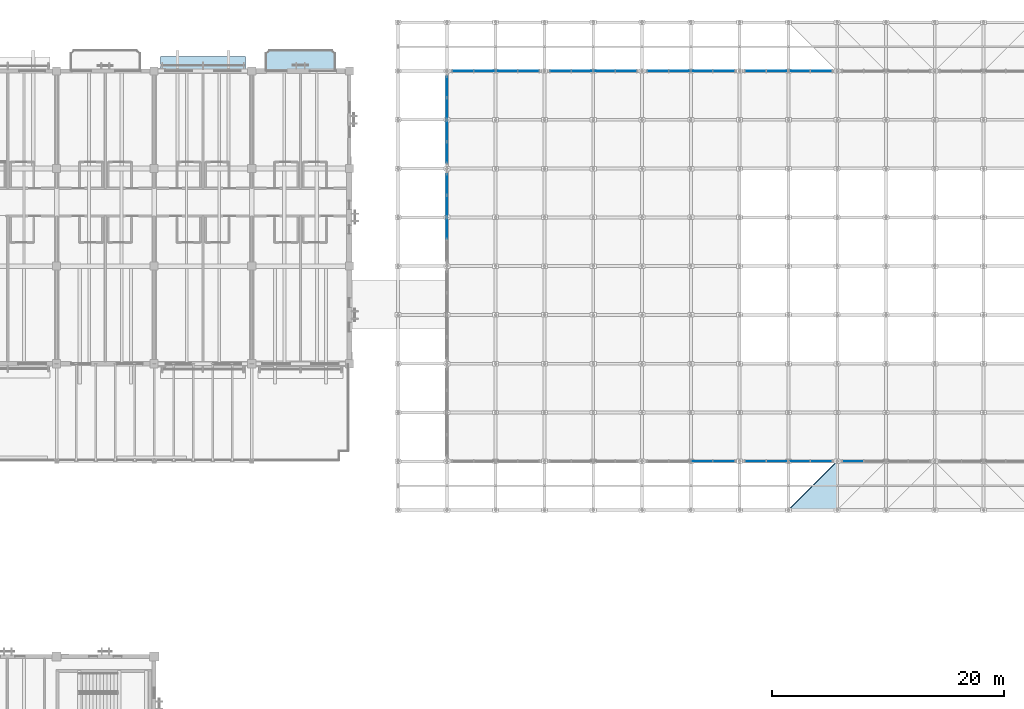
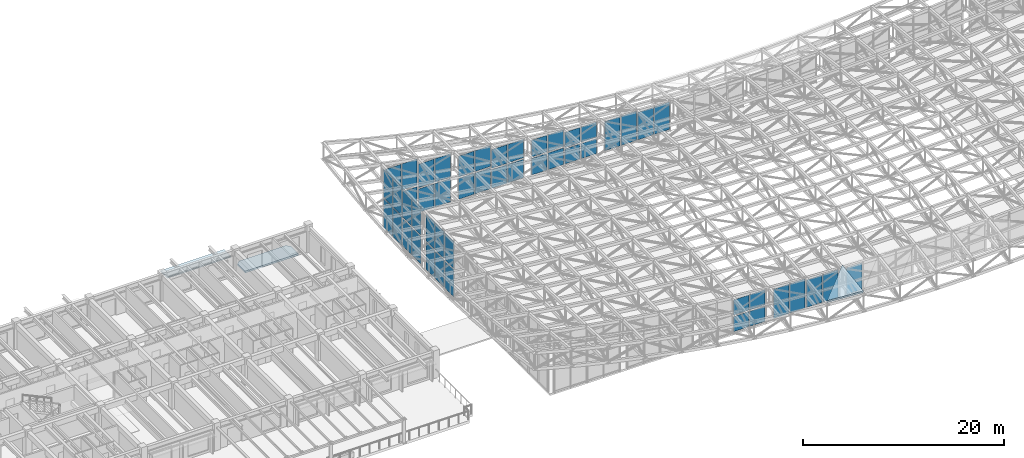
# One storey, part 65 of 111: 52 plates, 2 slabs, 17 elements without a shape of their own.
"""IFC4 building model written with IfcOpenShell, lengths in metres."""

from ifc_helpers import new_model, si_unit, direction, frame, origin, origin_2d, place, context, subcontext, project, spatial, polyline, rectangle, outline, extrude, material, layer, layer_set, type_object, element, aggregate, save


model = new_model("IFC4")

# Units and contexts
model_context = context("Model", 3, precision=1e-05, world=origin(), true_north=direction((0.0, 1.0)))
body_context = subcontext(model_context, "Body", "Model", "MODEL_VIEW")
ifc_project = project(units=[si_unit("LENGTHUNIT", "METRE"), si_unit("AREAUNIT", "SQUARE_METRE"), si_unit("VOLUMEUNIT", "CUBIC_METRE"), si_unit("PLANEANGLEUNIT", "RADIAN"), si_unit("MASSUNIT", "GRAM", prefix="KILO")], contexts=[model_context])

# Site, building, storey
site_placement = place(None, origin())
site = spatial("IfcSite", under=ifc_project, at=site_placement, CompositionType="ELEMENT")
building_placement = place(site_placement, origin())
building = spatial("IfcBuilding", under=site, at=building_placement, Name="Cumbredor Promenade Congress Hotel", CompositionType="ELEMENT")
storey_placement = place(building_placement, frame((0.0, 0.0, 15.1201171875)))
storey = spatial("IfcBuildingStorey", under=building, at=storey_placement, Name="L04", CompositionType="ELEMENT", Elevation=15.1201171875)

# Slabs
ifc_material_1 = material(Name="Concrete C40/50", Category="concrete")
ifc_layer_1 = layer(ifc_material_1, 0.215087890625, Name="Concrete C40/50", Category="concrete")
ifc_layer_set_1 = layer_set([ifc_layer_1], Name="Concrete C40/50")
slab_type_1 = type_object("IfcSlabType", Name="Cantilevered Guestroom Balcony Slab 215mm", PredefinedType="FLOOR", material=ifc_layer_set_1)
slab_1_placement = place(storey_placement, frame((0.0, 0.0, -0.215087890625)))
element("IfcSlab", 1, at=slab_1_placement, inside=storey, type_object=slab_type_1, Name="L04 Cantilevered Guestroom Veranda Balcony 024", PredefinedType="FLOOR", context=body_context, shape_type="SweptSolid", body=[
    extrude(outline(polyline([(76.75, 117.60009765625), (82.85009765625, 117.60009765625), (82.85009765625, 119.10009765625), (82.5, 119.449951171875), (77.10009765625, 119.449951171875), (76.75, 119.10009765625), (76.75, 117.60009765625)])), origin(), (0.0, 0.0, 1.0), 0.215087890625),
])
ifc_layer_2 = layer(ifc_material_1, 0.25, Name="Concrete C40/50", Category="concrete")
ifc_layer_set_2 = layer_set([ifc_layer_2], Name="Concrete C40/50")
slab_type_2 = type_object("IfcSlabType", Name="Catenary Space Frame Roof Deck 250mm", PredefinedType="ROOF", material=ifc_layer_set_2)
slab_2_placement = place(storey_placement, frame((121.800048828125, 79.800048828125, 3.555908203125), z_axis=(0.062113086697, -0.15060846322, 0.986640286663), x_axis=(0.998024259177, 0.0, -0.06282975485)))
element("IfcSlab", 2, at=slab_2_placement, inside=storey, type_object=slab_type_2, Name="Pre-Function and Breakout Meeting Forum Sweeping Roof Deck Facet 9.1.1", PredefinedType="ROOF", context=body_context, shape_type="SweptSolid", body=[
    extrude(outline(polyline([(0.0, 0.0), (4.208265614043409, 0.0), (4.167984623751245, 4.248410706058256), (0.0, 0.0)])), origin(), (0.0, 0.0, -1.0), 0.25),
])

# Curtain wall, plates
ifc_material_2 = material(Name="Thermally broken anodized aluminium and low-E glass", Category="aluminium")
curtain_wall_type_1 = type_object("IfcCurtainWallType", Name="Stepped Pavilion Clerestory Curtain Wall CW-06", PredefinedType="NOTDEFINED", material=ifc_material_2)
curtain_wall_1_placement = place(storey_placement, origin())
curtain_wall_1 = element("IfcCurtainWall", 3, at=curtain_wall_1_placement, inside=storey, type_object=curtain_wall_type_1, Name="Pre-Function and Breakout Meeting Forum S Glazed Clerestory 6", PredefinedType="NOTDEFINED")
ifc_material_3 = material(Name="Laminated low-E solar-control glass", Category="glass")
ifc_layer_3 = layer(ifc_material_3, 0.031982421875, Name="Laminated low-E solar-control glass", Category="glass")
ifc_layer_set_3 = layer_set([ifc_layer_3], Name="Laminated low-E solar-control glass")
plate_type_1 = type_object("IfcPlateType", Name="Clerestory Glazed Vision Panel PNL-07", PredefinedType="CURTAIN_PANEL", material=ifc_layer_set_3)
plate_1_placement = place(storey_placement, frame((114.3701171875, 84.0, 0.169921875), z_axis=(0.0, 0.0, 1.0), x_axis=(1.0, 0.0, 0.0)))
plate_1 = element("IfcPlate", 4, at=plate_1_placement, type_object=plate_type_1, Name="Pre-Function and Breakout Meeting Forum S Glazed Clerestory 6 Glazing Panel 1.1", PredefinedType="CURTAIN_PANEL", context=body_context, shape_type="SweptSolid", body=[
    extrude(rectangle(XDim=1.77490234375, YDim=0.031982421875, at=origin_2d()), origin(), (0.0, 0.0, 1.0), 1.830078125),
])
plate_2_placement = place(storey_placement, frame((114.3701171875, 84.0, 2.1796875), z_axis=(0.0, 0.0, 1.0), x_axis=(1.0, 0.0, 0.0)))
plate_2 = element("IfcPlate", 5, at=plate_2_placement, type_object=plate_type_1, Name="Pre-Function and Breakout Meeting Forum S Glazed Clerestory 6 Glazing Panel 1.2", PredefinedType="CURTAIN_PANEL", context=body_context, shape_type="SweptSolid", body=[
    extrude(rectangle(XDim=1.77490234375, YDim=0.031982421875, at=origin_2d()), origin(), (0.0, 0.0, 1.0), 1.840087890625),
])
plate_3_placement = place(storey_placement, frame((116.22998046875, 84.0, 0.169921875), z_axis=(0.0, 0.0, 1.0), x_axis=(1.0, 0.0, 0.0)))
plate_3 = element("IfcPlate", 6, at=plate_3_placement, type_object=plate_type_1, Name="Pre-Function and Breakout Meeting Forum S Glazed Clerestory 6 Glazing Panel 2.1", PredefinedType="CURTAIN_PANEL", context=body_context, shape_type="SweptSolid", body=[
    extrude(rectangle(XDim=1.77490234375, YDim=0.031982421875, at=origin_2d()), origin(), (0.0, 0.0, 1.0), 1.830078125),
])
plate_4_placement = place(storey_placement, frame((116.22998046875, 84.0, 2.1796875), z_axis=(0.0, 0.0, 1.0), x_axis=(1.0, 0.0, 0.0)))
plate_4 = element("IfcPlate", 7, at=plate_4_placement, type_object=plate_type_1, Name="Pre-Function and Breakout Meeting Forum S Glazed Clerestory 6 Glazing Panel 2.2", PredefinedType="CURTAIN_PANEL", context=body_context, shape_type="SweptSolid", body=[
    extrude(rectangle(XDim=1.77490234375, YDim=0.031982421875, at=origin_2d()), origin(), (0.0, 0.0, 1.0), 1.840087890625),
])
aggregate(curtain_wall_1, [plate_1, plate_2, plate_3, plate_4])

curtain_wall_2_placement = place(storey_placement, origin())
curtain_wall_2 = element("IfcCurtainWall", 8, at=curtain_wall_2_placement, inside=storey, type_object=curtain_wall_type_1, Name="Pre-Function and Breakout Meeting Forum S Glazed Clerestory 7", PredefinedType="NOTDEFINED")
plate_5_placement = place(storey_placement, frame((118.969970703125, 84.0, 0.169921875), z_axis=(0.0, 0.0, 1.0), x_axis=(1.0, 0.0, 0.0)))
plate_5 = element("IfcPlate", 9, at=plate_5_placement, type_object=plate_type_1, Name="Pre-Function and Breakout Meeting Forum S Glazed Clerestory 7 Glazing Panel 1.1", PredefinedType="CURTAIN_PANEL", context=body_context, shape_type="SweptSolid", body=[
    extrude(rectangle(XDim=1.77490234375, YDim=0.031982421875, at=origin_2d()), origin(), (0.0, 0.0, 1.0), 3.550048828125),
])
plate_6_placement = place(storey_placement, frame((120.830078125, 84.0, 0.169921875), z_axis=(0.0, 0.0, 1.0), x_axis=(1.0, 0.0, 0.0)))
plate_6 = element("IfcPlate", 10, at=plate_6_placement, type_object=plate_type_1, Name="Pre-Function and Breakout Meeting Forum S Glazed Clerestory 7 Glazing Panel 2.1", PredefinedType="CURTAIN_PANEL", context=body_context, shape_type="SweptSolid", body=[
    extrude(rectangle(XDim=1.77490234375, YDim=0.031982421875, at=origin_2d()), origin(), (0.0, 0.0, 1.0), 3.550048828125),
])
aggregate(curtain_wall_2, [plate_5, plate_6])

curtain_wall_3_placement = place(storey_placement, origin())
curtain_wall_3 = element("IfcCurtainWall", 11, at=curtain_wall_3_placement, inside=storey, type_object=curtain_wall_type_1, Name="Pre-Function and Breakout Meeting Forum S Glazed Clerestory 8", PredefinedType="NOTDEFINED")
plate_7_placement = place(storey_placement, frame((122.77001953125, 84.0, 0.169921875), z_axis=(0.0, 0.0, 1.0), x_axis=(1.0, 0.0, 0.0)))
plate_7 = element("IfcPlate", 12, at=plate_7_placement, type_object=plate_type_1, Name="Pre-Function and Breakout Meeting Forum S Glazed Clerestory 8 Glazing Panel 1.1", PredefinedType="CURTAIN_PANEL", context=body_context, shape_type="SweptSolid", body=[
    extrude(rectangle(XDim=1.77490234375, YDim=0.031982421875, at=origin_2d()), origin(), (0.0, 0.0, 1.0), 3.340087890625),
])
plate_8_placement = place(storey_placement, frame((124.6298828125, 84.0, 0.169921875), z_axis=(0.0, 0.0, 1.0), x_axis=(1.0, 0.0, 0.0)))
plate_8 = element("IfcPlate", 13, at=plate_8_placement, type_object=plate_type_1, Name="Pre-Function and Breakout Meeting Forum S Glazed Clerestory 8 Glazing Panel 2.1", PredefinedType="CURTAIN_PANEL", context=body_context, shape_type="SweptSolid", body=[
    extrude(rectangle(XDim=1.77490234375, YDim=0.031982421875, at=origin_2d()), origin(), (0.0, 0.0, 1.0), 3.340087890625),
])
aggregate(curtain_wall_3, [plate_7, plate_8])

# Curtain wall, plate
curtain_wall_4_placement = place(storey_placement, origin())
curtain_wall_4 = element("IfcCurtainWall", 14, at=curtain_wall_4_placement, inside=storey, type_object=curtain_wall_type_1, Name="Pre-Function and Breakout Meeting Forum S Glazed Clerestory 9", PredefinedType="NOTDEFINED")
plate_9_placement = place(storey_placement, frame((127.3701171875, 84.0, 0.169921875), z_axis=(0.0, 0.0, 1.0), x_axis=(1.0, 0.0, 0.0)))
plate_9 = element("IfcPlate", 15, at=plate_9_placement, type_object=plate_type_1, Name="Pre-Function and Breakout Meeting Forum S Glazed Clerestory 9 Glazing Panel 1.1", PredefinedType="CURTAIN_PANEL", context=body_context, shape_type="SweptSolid", body=[
    extrude(rectangle(XDim=1.77490234375, YDim=0.031982421875, at=origin_2d()), origin(), (0.0, 0.0, 1.0), 3.2099609375),
])
aggregate(curtain_wall_4, [plate_9])

# Curtain wall, plates
curtain_wall_5_placement = place(storey_placement, origin())
curtain_wall_5 = element("IfcCurtainWall", 16, at=curtain_wall_5_placement, inside=storey, type_object=curtain_wall_type_1, Name="Pre-Function and Breakout Meeting Forum N Glazed Clerestory 1", PredefinedType="NOTDEFINED")
plate_10_placement = place(storey_placement, frame((93.77001953125, 117.60009765625, 0.169921875), z_axis=(0.0, 0.0, 1.0), x_axis=(1.0, 0.0, 0.0)))
plate_10 = element("IfcPlate", 17, at=plate_10_placement, type_object=plate_type_1, Name="Pre-Function and Breakout Meeting Forum N Glazed Clerestory 1 Glazing Panel 1.1", PredefinedType="CURTAIN_PANEL", context=body_context, shape_type="SweptSolid", body=[
    extrude(rectangle(XDim=1.77490234375, YDim=0.031982421875, at=origin_2d()), origin(), (0.0, 0.0, 1.0), 3.199951171875),
])
plate_11_placement = place(storey_placement, frame((93.77001953125, 117.60009765625, 3.5498046875), z_axis=(0.0, 0.0, 1.0), x_axis=(1.0, 0.0, 0.0)))
plate_11 = element("IfcPlate", 18, at=plate_11_placement, type_object=plate_type_1, Name="Pre-Function and Breakout Meeting Forum N Glazed Clerestory 1 Glazing Panel 1.2", PredefinedType="CURTAIN_PANEL", context=body_context, shape_type="SweptSolid", body=[
    extrude(rectangle(XDim=1.77490234375, YDim=0.031982421875, at=origin_2d()), origin(), (0.0, 0.0, 1.0), 3.199951171875),
])
plate_12_placement = place(storey_placement, frame((95.6298828125, 117.60009765625, 0.169921875), z_axis=(0.0, 0.0, 1.0), x_axis=(1.0, 0.0, 0.0)))
plate_12 = element("IfcPlate", 19, at=plate_12_placement, type_object=plate_type_1, Name="Pre-Function and Breakout Meeting Forum N Glazed Clerestory 1 Glazing Panel 2.1", PredefinedType="CURTAIN_PANEL", context=body_context, shape_type="SweptSolid", body=[
    extrude(rectangle(XDim=1.77490234375, YDim=0.031982421875, at=origin_2d()), origin(), (0.0, 0.0, 1.0), 3.199951171875),
])
plate_13_placement = place(storey_placement, frame((95.6298828125, 117.60009765625, 3.5498046875), z_axis=(0.0, 0.0, 1.0), x_axis=(1.0, 0.0, 0.0)))
plate_13 = element("IfcPlate", 20, at=plate_13_placement, type_object=plate_type_1, Name="Pre-Function and Breakout Meeting Forum N Glazed Clerestory 1 Glazing Panel 2.2", PredefinedType="CURTAIN_PANEL", context=body_context, shape_type="SweptSolid", body=[
    extrude(rectangle(XDim=1.77490234375, YDim=0.031982421875, at=origin_2d()), origin(), (0.0, 0.0, 1.0), 3.199951171875),
])
aggregate(curtain_wall_5, [plate_10, plate_11, plate_12, plate_13])

curtain_wall_6_placement = place(storey_placement, origin())
curtain_wall_6 = element("IfcCurtainWall", 21, at=curtain_wall_6_placement, inside=storey, type_object=curtain_wall_type_1, Name="Pre-Function and Breakout Meeting Forum N Glazed Clerestory 2", PredefinedType="NOTDEFINED")
plate_14_placement = place(storey_placement, frame((97.570068359375, 117.60009765625, 0.169921875), z_axis=(0.0, 0.0, 1.0), x_axis=(1.0, 0.0, 0.0)))
plate_14 = element("IfcPlate", 22, at=plate_14_placement, type_object=plate_type_1, Name="Pre-Function and Breakout Meeting Forum N Glazed Clerestory 2 Glazing Panel 1.1", PredefinedType="CURTAIN_PANEL", context=body_context, shape_type="SweptSolid", body=[
    extrude(rectangle(XDim=1.77490234375, YDim=0.031982421875, at=origin_2d()), origin(), (0.0, 0.0, 1.0), 2.85009765625),
])
plate_15_placement = place(storey_placement, frame((97.570068359375, 117.60009765625, 3.19970703125), z_axis=(0.0, 0.0, 1.0), x_axis=(1.0, 0.0, 0.0)))
plate_15 = element("IfcPlate", 23, at=plate_15_placement, type_object=plate_type_1, Name="Pre-Function and Breakout Meeting Forum N Glazed Clerestory 2 Glazing Panel 1.2", PredefinedType="CURTAIN_PANEL", context=body_context, shape_type="SweptSolid", body=[
    extrude(rectangle(XDim=1.77490234375, YDim=0.031982421875, at=origin_2d()), origin(), (0.0, 0.0, 1.0), 2.840087890625),
])
plate_16_placement = place(storey_placement, frame((99.429931640625, 117.60009765625, 0.169921875), z_axis=(0.0, 0.0, 1.0), x_axis=(1.0, 0.0, 0.0)))
plate_16 = element("IfcPlate", 24, at=plate_16_placement, type_object=plate_type_1, Name="Pre-Function and Breakout Meeting Forum N Glazed Clerestory 2 Glazing Panel 2.1", PredefinedType="CURTAIN_PANEL", context=body_context, shape_type="SweptSolid", body=[
    extrude(rectangle(XDim=1.77490234375, YDim=0.031982421875, at=origin_2d()), origin(), (0.0, 0.0, 1.0), 2.85009765625),
])
plate_17_placement = place(storey_placement, frame((99.429931640625, 117.60009765625, 3.19970703125), z_axis=(0.0, 0.0, 1.0), x_axis=(1.0, 0.0, 0.0)))
plate_17 = element("IfcPlate", 25, at=plate_17_placement, type_object=plate_type_1, Name="Pre-Function and Breakout Meeting Forum N Glazed Clerestory 2 Glazing Panel 2.2", PredefinedType="CURTAIN_PANEL", context=body_context, shape_type="SweptSolid", body=[
    extrude(rectangle(XDim=1.77490234375, YDim=0.031982421875, at=origin_2d()), origin(), (0.0, 0.0, 1.0), 2.840087890625),
])
aggregate(curtain_wall_6, [plate_14, plate_15, plate_16, plate_17])

curtain_wall_7_placement = place(storey_placement, origin())
curtain_wall_7 = element("IfcCurtainWall", 26, at=curtain_wall_7_placement, inside=storey, type_object=curtain_wall_type_1, Name="Pre-Function and Breakout Meeting Forum N Glazed Clerestory 3", PredefinedType="NOTDEFINED")
plate_18_placement = place(storey_placement, frame((102.169921875, 117.60009765625, 0.169921875), z_axis=(0.0, 0.0, 1.0), x_axis=(1.0, 0.0, 0.0)))
plate_18 = element("IfcPlate", 27, at=plate_18_placement, type_object=plate_type_1, Name="Pre-Function and Breakout Meeting Forum N Glazed Clerestory 3 Glazing Panel 1.1", PredefinedType="CURTAIN_PANEL", context=body_context, shape_type="SweptSolid", body=[
    extrude(rectangle(XDim=1.77490234375, YDim=0.031982421875, at=origin_2d()), origin(), (0.0, 0.0, 1.0), 2.530029296875),
])
plate_19_placement = place(storey_placement, frame((102.169921875, 117.60009765625, 2.8798828125), z_axis=(0.0, 0.0, 1.0), x_axis=(1.0, 0.0, 0.0)))
plate_19 = element("IfcPlate", 28, at=plate_19_placement, type_object=plate_type_1, Name="Pre-Function and Breakout Meeting Forum N Glazed Clerestory 3 Glazing Panel 1.2", PredefinedType="CURTAIN_PANEL", context=body_context, shape_type="SweptSolid", body=[
    extrude(rectangle(XDim=1.77490234375, YDim=0.031982421875, at=origin_2d()), origin(), (0.0, 0.0, 1.0), 2.530029296875),
])
plate_20_placement = place(storey_placement, frame((104.030029296875, 117.60009765625, 0.169921875), z_axis=(0.0, 0.0, 1.0), x_axis=(1.0, 0.0, 0.0)))
plate_20 = element("IfcPlate", 29, at=plate_20_placement, type_object=plate_type_1, Name="Pre-Function and Breakout Meeting Forum N Glazed Clerestory 3 Glazing Panel 2.1", PredefinedType="CURTAIN_PANEL", context=body_context, shape_type="SweptSolid", body=[
    extrude(rectangle(XDim=1.77490234375, YDim=0.031982421875, at=origin_2d()), origin(), (0.0, 0.0, 1.0), 2.530029296875),
])
plate_21_placement = place(storey_placement, frame((104.030029296875, 117.60009765625, 2.8798828125), z_axis=(0.0, 0.0, 1.0), x_axis=(1.0, 0.0, 0.0)))
plate_21 = element("IfcPlate", 30, at=plate_21_placement, type_object=plate_type_1, Name="Pre-Function and Breakout Meeting Forum N Glazed Clerestory 3 Glazing Panel 2.2", PredefinedType="CURTAIN_PANEL", context=body_context, shape_type="SweptSolid", body=[
    extrude(rectangle(XDim=1.77490234375, YDim=0.031982421875, at=origin_2d()), origin(), (0.0, 0.0, 1.0), 2.530029296875),
])
aggregate(curtain_wall_7, [plate_18, plate_19, plate_20, plate_21])

curtain_wall_8_placement = place(storey_placement, origin())
curtain_wall_8 = element("IfcCurtainWall", 31, at=curtain_wall_8_placement, inside=storey, type_object=curtain_wall_type_1, Name="Pre-Function and Breakout Meeting Forum N Glazed Clerestory 4", PredefinedType="NOTDEFINED")
plate_22_placement = place(storey_placement, frame((105.969970703125, 117.60009765625, 0.169921875), z_axis=(0.0, 0.0, 1.0), x_axis=(1.0, 0.0, 0.0)))
plate_22 = element("IfcPlate", 32, at=plate_22_placement, type_object=plate_type_1, Name="Pre-Function and Breakout Meeting Forum N Glazed Clerestory 4 Glazing Panel 1.1", PredefinedType="CURTAIN_PANEL", context=body_context, shape_type="SweptSolid", body=[
    extrude(rectangle(XDim=1.77490234375, YDim=0.031982421875, at=origin_2d()), origin(), (0.0, 0.0, 1.0), 2.25),
])
plate_23_placement = place(storey_placement, frame((105.969970703125, 117.60009765625, 2.60009765625), z_axis=(0.0, 0.0, 1.0), x_axis=(1.0, 0.0, 0.0)))
plate_23 = element("IfcPlate", 33, at=plate_23_placement, type_object=plate_type_1, Name="Pre-Function and Breakout Meeting Forum N Glazed Clerestory 4 Glazing Panel 1.2", PredefinedType="CURTAIN_PANEL", context=body_context, shape_type="SweptSolid", body=[
    extrude(rectangle(XDim=1.77490234375, YDim=0.031982421875, at=origin_2d()), origin(), (0.0, 0.0, 1.0), 2.260009765625),
])
plate_24_placement = place(storey_placement, frame((107.830078125, 117.60009765625, 0.169921875), z_axis=(0.0, 0.0, 1.0), x_axis=(1.0, 0.0, 0.0)))
plate_24 = element("IfcPlate", 34, at=plate_24_placement, type_object=plate_type_1, Name="Pre-Function and Breakout Meeting Forum N Glazed Clerestory 4 Glazing Panel 2.1", PredefinedType="CURTAIN_PANEL", context=body_context, shape_type="SweptSolid", body=[
    extrude(rectangle(XDim=1.77490234375, YDim=0.031982421875, at=origin_2d()), origin(), (0.0, 0.0, 1.0), 2.25),
])
plate_25_placement = place(storey_placement, frame((107.830078125, 117.60009765625, 2.60009765625), z_axis=(0.0, 0.0, 1.0), x_axis=(1.0, 0.0, 0.0)))
plate_25 = element("IfcPlate", 35, at=plate_25_placement, type_object=plate_type_1, Name="Pre-Function and Breakout Meeting Forum N Glazed Clerestory 4 Glazing Panel 2.2", PredefinedType="CURTAIN_PANEL", context=body_context, shape_type="SweptSolid", body=[
    extrude(rectangle(XDim=1.77490234375, YDim=0.031982421875, at=origin_2d()), origin(), (0.0, 0.0, 1.0), 2.260009765625),
])
aggregate(curtain_wall_8, [plate_22, plate_23, plate_24, plate_25])

curtain_wall_9_placement = place(storey_placement, origin())
curtain_wall_9 = element("IfcCurtainWall", 36, at=curtain_wall_9_placement, inside=storey, type_object=curtain_wall_type_1, Name="Pre-Function and Breakout Meeting Forum N Glazed Clerestory 5", PredefinedType="NOTDEFINED")
plate_26_placement = place(storey_placement, frame((110.570068359375, 117.60009765625, 0.169921875), z_axis=(0.0, 0.0, 1.0), x_axis=(1.0, 0.0, 0.0)))
plate_26 = element("IfcPlate", 37, at=plate_26_placement, type_object=plate_type_1, Name="Pre-Function and Breakout Meeting Forum N Glazed Clerestory 5 Glazing Panel 1.1", PredefinedType="CURTAIN_PANEL", context=body_context, shape_type="SweptSolid", body=[
    extrude(rectangle(XDim=1.77490234375, YDim=0.031982421875, at=origin_2d()), origin(), (0.0, 0.0, 1.0), 2.02001953125),
])
plate_27_placement = place(storey_placement, frame((110.570068359375, 117.60009765625, 2.369873046875), z_axis=(0.0, 0.0, 1.0), x_axis=(1.0, 0.0, 0.0)))
plate_27 = element("IfcPlate", 38, at=plate_27_placement, type_object=plate_type_1, Name="Pre-Function and Breakout Meeting Forum N Glazed Clerestory 5 Glazing Panel 1.2", PredefinedType="CURTAIN_PANEL", context=body_context, shape_type="SweptSolid", body=[
    extrude(rectangle(XDim=1.77490234375, YDim=0.031982421875, at=origin_2d()), origin(), (0.0, 0.0, 1.0), 2.02001953125),
])
plate_28_placement = place(storey_placement, frame((112.429931640625, 117.60009765625, 0.169921875), z_axis=(0.0, 0.0, 1.0), x_axis=(1.0, 0.0, 0.0)))
plate_28 = element("IfcPlate", 39, at=plate_28_placement, type_object=plate_type_1, Name="Pre-Function and Breakout Meeting Forum N Glazed Clerestory 5 Glazing Panel 2.1", PredefinedType="CURTAIN_PANEL", context=body_context, shape_type="SweptSolid", body=[
    extrude(rectangle(XDim=1.77490234375, YDim=0.031982421875, at=origin_2d()), origin(), (0.0, 0.0, 1.0), 2.02001953125),
])
plate_29_placement = place(storey_placement, frame((112.429931640625, 117.60009765625, 2.369873046875), z_axis=(0.0, 0.0, 1.0), x_axis=(1.0, 0.0, 0.0)))
plate_29 = element("IfcPlate", 40, at=plate_29_placement, type_object=plate_type_1, Name="Pre-Function and Breakout Meeting Forum N Glazed Clerestory 5 Glazing Panel 2.2", PredefinedType="CURTAIN_PANEL", context=body_context, shape_type="SweptSolid", body=[
    extrude(rectangle(XDim=1.77490234375, YDim=0.031982421875, at=origin_2d()), origin(), (0.0, 0.0, 1.0), 2.02001953125),
])
aggregate(curtain_wall_9, [plate_26, plate_27, plate_28, plate_29])

curtain_wall_10_placement = place(storey_placement, origin())
curtain_wall_10 = element("IfcCurtainWall", 41, at=curtain_wall_10_placement, inside=storey, type_object=curtain_wall_type_1, Name="Pre-Function and Breakout Meeting Forum N Glazed Clerestory 6", PredefinedType="NOTDEFINED")
plate_30_placement = place(storey_placement, frame((114.3701171875, 117.60009765625, 0.169921875), z_axis=(0.0, 0.0, 1.0), x_axis=(1.0, 0.0, 0.0)))
plate_30 = element("IfcPlate", 42, at=plate_30_placement, type_object=plate_type_1, Name="Pre-Function and Breakout Meeting Forum N Glazed Clerestory 6 Glazing Panel 1.1", PredefinedType="CURTAIN_PANEL", context=body_context, shape_type="SweptSolid", body=[
    extrude(rectangle(XDim=1.77490234375, YDim=0.031982421875, at=origin_2d()), origin(), (0.0, 0.0, 1.0), 1.830078125),
])
plate_31_placement = place(storey_placement, frame((114.3701171875, 117.60009765625, 2.1796875), z_axis=(0.0, 0.0, 1.0), x_axis=(1.0, 0.0, 0.0)))
plate_31 = element("IfcPlate", 43, at=plate_31_placement, type_object=plate_type_1, Name="Pre-Function and Breakout Meeting Forum N Glazed Clerestory 6 Glazing Panel 1.2", PredefinedType="CURTAIN_PANEL", context=body_context, shape_type="SweptSolid", body=[
    extrude(rectangle(XDim=1.77490234375, YDim=0.031982421875, at=origin_2d()), origin(), (0.0, 0.0, 1.0), 1.840087890625),
])
plate_32_placement = place(storey_placement, frame((116.22998046875, 117.60009765625, 0.169921875), z_axis=(0.0, 0.0, 1.0), x_axis=(1.0, 0.0, 0.0)))
plate_32 = element("IfcPlate", 44, at=plate_32_placement, type_object=plate_type_1, Name="Pre-Function and Breakout Meeting Forum N Glazed Clerestory 6 Glazing Panel 2.1", PredefinedType="CURTAIN_PANEL", context=body_context, shape_type="SweptSolid", body=[
    extrude(rectangle(XDim=1.77490234375, YDim=0.031982421875, at=origin_2d()), origin(), (0.0, 0.0, 1.0), 1.830078125),
])
plate_33_placement = place(storey_placement, frame((116.22998046875, 117.60009765625, 2.1796875), z_axis=(0.0, 0.0, 1.0), x_axis=(1.0, 0.0, 0.0)))
plate_33 = element("IfcPlate", 45, at=plate_33_placement, type_object=plate_type_1, Name="Pre-Function and Breakout Meeting Forum N Glazed Clerestory 6 Glazing Panel 2.2", PredefinedType="CURTAIN_PANEL", context=body_context, shape_type="SweptSolid", body=[
    extrude(rectangle(XDim=1.77490234375, YDim=0.031982421875, at=origin_2d()), origin(), (0.0, 0.0, 1.0), 1.840087890625),
])
aggregate(curtain_wall_10, [plate_30, plate_31, plate_32, plate_33])

curtain_wall_11_placement = place(storey_placement, origin())
curtain_wall_11 = element("IfcCurtainWall", 46, at=curtain_wall_11_placement, inside=storey, type_object=curtain_wall_type_1, Name="Pre-Function and Breakout Meeting Forum N Glazed Clerestory 7", PredefinedType="NOTDEFINED")
plate_34_placement = place(storey_placement, frame((118.969970703125, 117.60009765625, 0.169921875), z_axis=(0.0, 0.0, 1.0), x_axis=(1.0, 0.0, 0.0)))
plate_34 = element("IfcPlate", 47, at=plate_34_placement, type_object=plate_type_1, Name="Pre-Function and Breakout Meeting Forum N Glazed Clerestory 7 Glazing Panel 1.1", PredefinedType="CURTAIN_PANEL", context=body_context, shape_type="SweptSolid", body=[
    extrude(rectangle(XDim=1.77490234375, YDim=0.031982421875, at=origin_2d()), origin(), (0.0, 0.0, 1.0), 3.550048828125),
])
plate_35_placement = place(storey_placement, frame((120.830078125, 117.60009765625, 0.169921875), z_axis=(0.0, 0.0, 1.0), x_axis=(1.0, 0.0, 0.0)))
plate_35 = element("IfcPlate", 48, at=plate_35_placement, type_object=plate_type_1, Name="Pre-Function and Breakout Meeting Forum N Glazed Clerestory 7 Glazing Panel 2.1", PredefinedType="CURTAIN_PANEL", context=body_context, shape_type="SweptSolid", body=[
    extrude(rectangle(XDim=1.77490234375, YDim=0.031982421875, at=origin_2d()), origin(), (0.0, 0.0, 1.0), 3.550048828125),
])
aggregate(curtain_wall_11, [plate_34, plate_35])

curtain_wall_12_placement = place(storey_placement, origin())
curtain_wall_12 = element("IfcCurtainWall", 49, at=curtain_wall_12_placement, inside=storey, type_object=curtain_wall_type_1, Name="Pre-Function and Breakout Meeting Forum N Glazed Clerestory 8", PredefinedType="NOTDEFINED")
plate_36_placement = place(storey_placement, frame((122.77001953125, 117.60009765625, 0.169921875), z_axis=(0.0, 0.0, 1.0), x_axis=(1.0, 0.0, 0.0)))
plate_36 = element("IfcPlate", 50, at=plate_36_placement, type_object=plate_type_1, Name="Pre-Function and Breakout Meeting Forum N Glazed Clerestory 8 Glazing Panel 1.1", PredefinedType="CURTAIN_PANEL", context=body_context, shape_type="SweptSolid", body=[
    extrude(rectangle(XDim=1.77490234375, YDim=0.031982421875, at=origin_2d()), origin(), (0.0, 0.0, 1.0), 3.340087890625),
])
plate_37_placement = place(storey_placement, frame((124.6298828125, 117.60009765625, 0.169921875), z_axis=(0.0, 0.0, 1.0), x_axis=(1.0, 0.0, 0.0)))
plate_37 = element("IfcPlate", 51, at=plate_37_placement, type_object=plate_type_1, Name="Pre-Function and Breakout Meeting Forum N Glazed Clerestory 8 Glazing Panel 2.1", PredefinedType="CURTAIN_PANEL", context=body_context, shape_type="SweptSolid", body=[
    extrude(rectangle(XDim=1.77490234375, YDim=0.031982421875, at=origin_2d()), origin(), (0.0, 0.0, 1.0), 3.340087890625),
])
aggregate(curtain_wall_12, [plate_36, plate_37])

curtain_wall_13_placement = place(storey_placement, origin())
curtain_wall_13 = element("IfcCurtainWall", 52, at=curtain_wall_13_placement, inside=storey, type_object=curtain_wall_type_1, Name="Pre-Function and Breakout Meeting Forum W Glazed Clerestory 5", PredefinedType="NOTDEFINED")
plate_38_placement = place(storey_placement, frame((92.39990234375, 104.030029296875, 0.169921875), z_axis=(0.0, 0.0, 1.0), x_axis=(0.0, 1.0, 0.0)))
plate_38 = element("IfcPlate", 53, at=plate_38_placement, type_object=plate_type_1, Name="Pre-Function and Breakout Meeting Forum W Glazed Clerestory 5 Glazing Panel 2.1", PredefinedType="CURTAIN_PANEL", context=body_context, shape_type="SweptSolid", body=[
    extrude(rectangle(XDim=1.77490234375, YDim=0.031982421875, at=origin_2d()), origin(), (0.0, 0.0, 1.0), 3.260009765625),
])
plate_39_placement = place(storey_placement, frame((92.39990234375, 104.030029296875, 3.60986328125), z_axis=(0.0, 0.0, 1.0), x_axis=(0.0, 1.0, 0.0)))
plate_39 = element("IfcPlate", 54, at=plate_39_placement, type_object=plate_type_1, Name="Pre-Function and Breakout Meeting Forum W Glazed Clerestory 5 Glazing Panel 2.2", PredefinedType="CURTAIN_PANEL", context=body_context, shape_type="SweptSolid", body=[
    extrude(rectangle(XDim=1.77490234375, YDim=0.031982421875, at=origin_2d()), origin(), (0.0, 0.0, 1.0), 3.260009765625),
])
aggregate(curtain_wall_13, [plate_38, plate_39])

curtain_wall_14_placement = place(storey_placement, origin())
curtain_wall_14 = element("IfcCurtainWall", 55, at=curtain_wall_14_placement, inside=storey, type_object=curtain_wall_type_1, Name="Pre-Function and Breakout Meeting Forum W Glazed Clerestory 6", PredefinedType="NOTDEFINED")
plate_40_placement = place(storey_placement, frame((92.39990234375, 105.969970703125, 0.169921875), z_axis=(0.0, 0.0, 1.0), x_axis=(0.0, 1.0, 0.0)))
plate_40 = element("IfcPlate", 56, at=plate_40_placement, type_object=plate_type_1, Name="Pre-Function and Breakout Meeting Forum W Glazed Clerestory 6 Glazing Panel 1.1", PredefinedType="CURTAIN_PANEL", context=body_context, shape_type="SweptSolid", body=[
    extrude(rectangle(XDim=1.77490234375, YDim=0.031982421875, at=origin_2d()), origin(), (0.0, 0.0, 1.0), 3.280029296875),
])
plate_41_placement = place(storey_placement, frame((92.39990234375, 105.969970703125, 3.6298828125), z_axis=(0.0, 0.0, 1.0), x_axis=(0.0, 1.0, 0.0)))
plate_41 = element("IfcPlate", 57, at=plate_41_placement, type_object=plate_type_1, Name="Pre-Function and Breakout Meeting Forum W Glazed Clerestory 6 Glazing Panel 1.2", PredefinedType="CURTAIN_PANEL", context=body_context, shape_type="SweptSolid", body=[
    extrude(rectangle(XDim=1.77490234375, YDim=0.031982421875, at=origin_2d()), origin(), (0.0, 0.0, 1.0), 3.280029296875),
])
plate_42_placement = place(storey_placement, frame((92.39990234375, 107.830078125, 0.169921875), z_axis=(0.0, 0.0, 1.0), x_axis=(0.0, 1.0, 0.0)))
plate_42 = element("IfcPlate", 58, at=plate_42_placement, type_object=plate_type_1, Name="Pre-Function and Breakout Meeting Forum W Glazed Clerestory 6 Glazing Panel 2.1", PredefinedType="CURTAIN_PANEL", context=body_context, shape_type="SweptSolid", body=[
    extrude(rectangle(XDim=1.77490234375, YDim=0.031982421875, at=origin_2d()), origin(), (0.0, 0.0, 1.0), 3.280029296875),
])
plate_43_placement = place(storey_placement, frame((92.39990234375, 107.830078125, 3.6298828125), z_axis=(0.0, 0.0, 1.0), x_axis=(0.0, 1.0, 0.0)))
plate_43 = element("IfcPlate", 59, at=plate_43_placement, type_object=plate_type_1, Name="Pre-Function and Breakout Meeting Forum W Glazed Clerestory 6 Glazing Panel 2.2", PredefinedType="CURTAIN_PANEL", context=body_context, shape_type="SweptSolid", body=[
    extrude(rectangle(XDim=1.77490234375, YDim=0.031982421875, at=origin_2d()), origin(), (0.0, 0.0, 1.0), 3.280029296875),
])
aggregate(curtain_wall_14, [plate_40, plate_41, plate_42, plate_43])

curtain_wall_15_placement = place(storey_placement, origin())
curtain_wall_15 = element("IfcCurtainWall", 60, at=curtain_wall_15_placement, inside=storey, type_object=curtain_wall_type_1, Name="Pre-Function and Breakout Meeting Forum W Glazed Clerestory 7", PredefinedType="NOTDEFINED")
plate_44_placement = place(storey_placement, frame((92.39990234375, 110.570068359375, 0.169921875), z_axis=(0.0, 0.0, 1.0), x_axis=(0.0, 1.0, 0.0)))
plate_44 = element("IfcPlate", 61, at=plate_44_placement, type_object=plate_type_1, Name="Pre-Function and Breakout Meeting Forum W Glazed Clerestory 7 Glazing Panel 1.1", PredefinedType="CURTAIN_PANEL", context=body_context, shape_type="SweptSolid", body=[
    extrude(rectangle(XDim=1.77490234375, YDim=0.031982421875, at=origin_2d()), origin(), (0.0, 0.0, 1.0), 3.35009765625),
])
plate_45_placement = place(storey_placement, frame((92.39990234375, 110.570068359375, 3.69970703125), z_axis=(0.0, 0.0, 1.0), x_axis=(0.0, 1.0, 0.0)))
plate_45 = element("IfcPlate", 62, at=plate_45_placement, type_object=plate_type_1, Name="Pre-Function and Breakout Meeting Forum W Glazed Clerestory 7 Glazing Panel 1.2", PredefinedType="CURTAIN_PANEL", context=body_context, shape_type="SweptSolid", body=[
    extrude(rectangle(XDim=1.77490234375, YDim=0.031982421875, at=origin_2d()), origin(), (0.0, 0.0, 1.0), 3.340087890625),
])
plate_46_placement = place(storey_placement, frame((92.39990234375, 112.429931640625, 0.169921875), z_axis=(0.0, 0.0, 1.0), x_axis=(0.0, 1.0, 0.0)))
plate_46 = element("IfcPlate", 63, at=plate_46_placement, type_object=plate_type_1, Name="Pre-Function and Breakout Meeting Forum W Glazed Clerestory 7 Glazing Panel 2.1", PredefinedType="CURTAIN_PANEL", context=body_context, shape_type="SweptSolid", body=[
    extrude(rectangle(XDim=1.77490234375, YDim=0.031982421875, at=origin_2d()), origin(), (0.0, 0.0, 1.0), 3.35009765625),
])
plate_47_placement = place(storey_placement, frame((92.39990234375, 112.429931640625, 3.69970703125), z_axis=(0.0, 0.0, 1.0), x_axis=(0.0, 1.0, 0.0)))
plate_47 = element("IfcPlate", 64, at=plate_47_placement, type_object=plate_type_1, Name="Pre-Function and Breakout Meeting Forum W Glazed Clerestory 7 Glazing Panel 2.2", PredefinedType="CURTAIN_PANEL", context=body_context, shape_type="SweptSolid", body=[
    extrude(rectangle(XDim=1.77490234375, YDim=0.031982421875, at=origin_2d()), origin(), (0.0, 0.0, 1.0), 3.340087890625),
])
aggregate(curtain_wall_15, [plate_44, plate_45, plate_46, plate_47])

curtain_wall_16_placement = place(storey_placement, origin())
curtain_wall_16 = element("IfcCurtainWall", 65, at=curtain_wall_16_placement, inside=storey, type_object=curtain_wall_type_1, Name="Pre-Function and Breakout Meeting Forum W Glazed Clerestory 8", PredefinedType="NOTDEFINED")
plate_48_placement = place(storey_placement, frame((92.39990234375, 114.3701171875, 0.169921875), z_axis=(0.0, 0.0, 1.0), x_axis=(0.0, 1.0, 0.0)))
plate_48 = element("IfcPlate", 66, at=plate_48_placement, type_object=plate_type_1, Name="Pre-Function and Breakout Meeting Forum W Glazed Clerestory 8 Glazing Panel 1.1", PredefinedType="CURTAIN_PANEL", context=body_context, shape_type="SweptSolid", body=[
    extrude(rectangle(XDim=1.77490234375, YDim=0.031982421875, at=origin_2d()), origin(), (0.0, 0.0, 1.0), 3.449951171875),
])
plate_49_placement = place(storey_placement, frame((92.39990234375, 114.3701171875, 3.7998046875), z_axis=(0.0, 0.0, 1.0), x_axis=(0.0, 1.0, 0.0)))
plate_49 = element("IfcPlate", 67, at=plate_49_placement, type_object=plate_type_1, Name="Pre-Function and Breakout Meeting Forum W Glazed Clerestory 8 Glazing Panel 1.2", PredefinedType="CURTAIN_PANEL", context=body_context, shape_type="SweptSolid", body=[
    extrude(rectangle(XDim=1.77490234375, YDim=0.031982421875, at=origin_2d()), origin(), (0.0, 0.0, 1.0), 3.449951171875),
])
plate_50_placement = place(storey_placement, frame((92.39990234375, 116.22998046875, 0.169921875), z_axis=(0.0, 0.0, 1.0), x_axis=(0.0, 1.0, 0.0)))
plate_50 = element("IfcPlate", 68, at=plate_50_placement, type_object=plate_type_1, Name="Pre-Function and Breakout Meeting Forum W Glazed Clerestory 8 Glazing Panel 2.1", PredefinedType="CURTAIN_PANEL", context=body_context, shape_type="SweptSolid", body=[
    extrude(rectangle(XDim=1.77490234375, YDim=0.031982421875, at=origin_2d()), origin(), (0.0, 0.0, 1.0), 3.449951171875),
])
plate_51_placement = place(storey_placement, frame((92.39990234375, 116.22998046875, 3.7998046875), z_axis=(0.0, 0.0, 1.0), x_axis=(0.0, 1.0, 0.0)))
plate_51 = element("IfcPlate", 69, at=plate_51_placement, type_object=plate_type_1, Name="Pre-Function and Breakout Meeting Forum W Glazed Clerestory 8 Glazing Panel 2.2", PredefinedType="CURTAIN_PANEL", context=body_context, shape_type="SweptSolid", body=[
    extrude(rectangle(XDim=1.77490234375, YDim=0.031982421875, at=origin_2d()), origin(), (0.0, 0.0, 1.0), 3.449951171875),
])
aggregate(curtain_wall_16, [plate_48, plate_49, plate_50, plate_51])

# Curtain wall, plate
curtain_wall_type_2 = type_object("IfcCurtainWallType", Name="Solar Brise-Soleil Screen Assembly CW-07", PredefinedType="NOTDEFINED", material=ifc_material_2)
curtain_wall_17_placement = place(storey_placement, origin())
curtain_wall_17 = element("IfcCurtainWall", 70, at=curtain_wall_17_placement, inside=storey, type_object=curtain_wall_type_2, Name="L04 Hospitality Brise-Soleil Screen 077", PredefinedType="NOTDEFINED")
ifc_material_4 = material(Name="Precast concrete C40/50", Category="concrete")
ifc_layer_4 = layer(ifc_material_4, 0.14501953125, Name="Precast concrete C40/50", Category="concrete")
ifc_layer_set_4 = layer_set([ifc_layer_4], Name="Precast concrete C40/50")
plate_type_2 = type_object("IfcPlateType", Name="Horizontal Precast Sun-Hood Eyebrow Plate 145mm", PredefinedType="USERDEFINED", material=ifc_layer_set_4)
plate_52_placement = place(storey_placement, frame((71.39990234375, 118.191162109375, 2.333984375), z_axis=(0.0, 0.0, 1.0), x_axis=(1.0, 0.0, 0.0)))
plate_52 = element("IfcPlate", 71, at=plate_52_placement, type_object=plate_type_2, Name="L04 Horizontal Sun-Hood Eyebrow 077", ObjectType="SUN HOOD", PredefinedType="USERDEFINED", context=body_context, shape_type="SweptSolid", body=[
    extrude(rectangle(XDim=7.298095703125, YDim=1.342529296875, at=origin_2d()), origin(), (0.0, 0.0, 1.0), 0.14501953125),
])
aggregate(curtain_wall_17, [plate_52])

save(model, "model.ifc")
